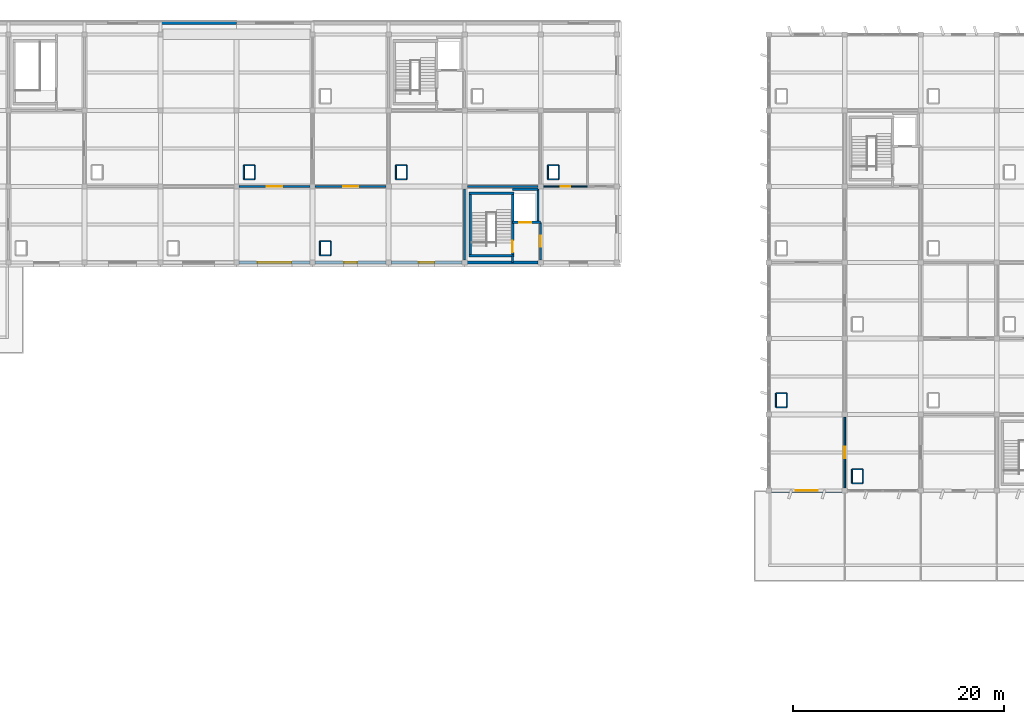
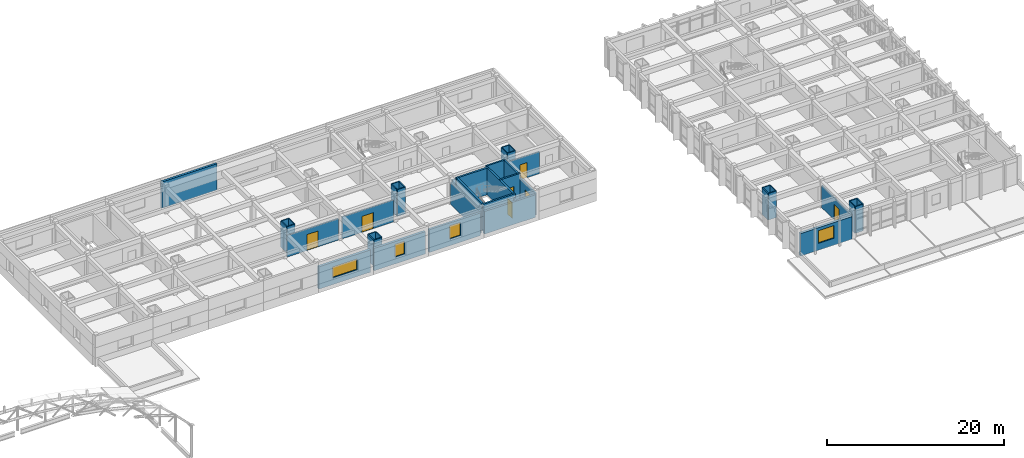
# One storey, part 33 of 40: 45 walls, 7 doors, 4 windows, 11 openings.
"""IFC4 building model written with IfcOpenShell, lengths in metres."""

from ifc_helpers import new_model, si_unit, direction, frame, frame_2d, origin, place, context, subcontext, project, spatial, rectangle, extrude, material, layer, layer_set, type_object, element, fill, save


model = new_model("IFC4")

# Units and contexts
model_context = context("Model", 3, precision=1e-05, world=origin(), true_north=direction((0.0, 1.0)))
body_context = subcontext(model_context, "Body", "Model", "MODEL_VIEW")
ifc_project = project(units=[si_unit("LENGTHUNIT", "METRE"), si_unit("AREAUNIT", "SQUARE_METRE"), si_unit("VOLUMEUNIT", "CUBIC_METRE"), si_unit("PLANEANGLEUNIT", "RADIAN"), si_unit("MASSUNIT", "GRAM", prefix="KILO")], contexts=[model_context])

# Site, building, storey
site_placement = place(None, origin())
site = spatial("IfcSite", under=ifc_project, at=site_placement, CompositionType="ELEMENT")
building_placement = place(site_placement, origin())
building = spatial("IfcBuilding", under=site, at=building_placement, Name="Kavelor Marine Aquarium", CompositionType="ELEMENT")
storey_placement = place(building_placement, frame((0.0, 0.0, 17.639892578125)))
storey = spatial("IfcBuildingStorey", under=building, at=storey_placement, Name="L04", CompositionType="ELEMENT", Elevation=17.639892578125)

# Wall, opening, window
ifc_material_1 = material(Name="Concrete C45/55", Category="concrete")
ifc_layer_1 = layer(ifc_material_1, 0.320068359375)
ifc_layer_set_1 = layer_set([ifc_layer_1], Name="WL-EX2")
wall_type_1 = type_object("IfcWallType", Name="WL-EX2", PredefinedType="STANDARD", material=ifc_layer_set_1)
wall_1_placement = place(storey_placement, frame((74.955078125, 89.199951171875, 0.0), z_axis=(0.0, 0.0, 1.0), x_axis=(-1.0, 0.0, 0.0)))
wall_1 = element("IfcWall", 1, at=wall_1_placement, inside=storey, type_object=wall_type_1, Name="ew:x:L04:09_12", PredefinedType="STANDARD", context=body_context, shape_type="SweptSolid", body=[
    extrude(rectangle(XDim=6.7099609375, YDim=0.320068359375, at=frame_2d((3.35498046875, 0.0))), origin(), (0.0, 0.0, 1.0), 3.080078125),
])
opening_1_placement = place(wall_1_placement, frame((1.7548828125, 0.0, 0.949951171875)))
opening_1 = element("IfcOpeningElement", 2, at=opening_1_placement, cuts=wall_1, Name="Opening W35", PredefinedType="OPENING", context=body_context, shape_type="SweptSolid", body=[
    extrude(rectangle(XDim=3.199951171875, YDim=1.5, at=frame_2d((1.60009765625, 0.75))), frame((0.0, 0.169921875, 0.0), z_axis=(0.0, -1.0, 0.0), x_axis=(1.0, 0.0, 0.0)), (0.0, 0.0, 1.0), 0.340068),
])
ifc_material_2 = material(Name="Anodised Aluminium Frame with Low-E Double Glazing", Category="aluminium")
window_type_1 = type_object("IfcWindowType", Name="WIN-W35", PartitioningType="DOUBLE_PANEL_VERTICAL", PredefinedType="WINDOW", material=ifc_material_2)
window_1_placement = place(opening_1_placement, origin())
window_1 = element("IfcWindow", 3, at=window_1_placement, inside=storey, type_object=window_type_1, Name="win:x:L04:09_12", OverallHeight=1.5, OverallWidth=3.199951171875, PartitioningType="SINGLE_PANEL", PredefinedType="WINDOW", context=body_context, shape_type="SweptSolid", body=[
    extrude(rectangle(XDim=3.199951171875, YDim=1.5, at=frame_2d((1.60009765625, 0.75))), frame((0.0, 0.030029296875, 0.0), z_axis=(0.0, -1.0, 0.0), x_axis=(1.0, 0.0, 0.0)), (0.0, 0.0, 1.0), 0.06005859375),
])
fill(opening_1, window_1)

ifc_material_3 = material(Name="Concrete C40/50", Category="concrete")
ifc_layer_2 = layer(ifc_material_3, 0.300048828125)
ifc_layer_set_2 = layer_set([ifc_layer_2], Name="WL-EX3")
wall_type_2 = type_object("IfcWallType", Name="WL-EX3", PredefinedType="STANDARD", material=ifc_layer_set_2)
wall_2_placement = place(storey_placement, frame((82.155029296875, 89.199951171875, 0.0), z_axis=(0.0, 0.0, 1.0), x_axis=(-1.0, 0.0, 0.0)))
wall_2 = element("IfcWall", 4, at=wall_2_placement, inside=storey, type_object=wall_type_2, Name="ew:x:L04:10_12", PredefinedType="STANDARD", context=body_context, shape_type="SweptSolid", body=[
    extrude(rectangle(XDim=6.7099609375, YDim=0.300048828125, at=frame_2d((3.35498046875, 0.0))), origin(), (0.0, 0.0, 1.0), 3.080078125),
])
opening_2_placement = place(wall_2_placement, frame((2.72998046875, 0.0, 0.949951171875)))
opening_2 = element("IfcOpeningElement", 5, at=opening_2_placement, cuts=wall_2, Name="Opening W37", PredefinedType="OPENING", context=body_context, shape_type="SweptSolid", body=[
    extrude(rectangle(XDim=1.25, YDim=1.75, at=frame_2d((0.625, 0.875))), frame((0.0, 0.159912109375, 0.0), z_axis=(0.0, -1.0, 0.0), x_axis=(1.0, 0.0, 0.0)), (0.0, 0.0, 1.0), 0.320049),
])
ifc_material_4 = material(Name="Anodised Aluminium Frame with Low-E Double Glazing", Category="aluminium")
window_type_2 = type_object("IfcWindowType", Name="WIN-W37", PartitioningType="SINGLE_PANEL", PredefinedType="WINDOW", material=ifc_material_4)
window_2_placement = place(opening_2_placement, origin())
window_2 = element("IfcWindow", 6, at=window_2_placement, inside=storey, type_object=window_type_2, Name="win:x:L04:10_12", OverallHeight=1.75, OverallWidth=1.25, PartitioningType="SINGLE_PANEL", PredefinedType="WINDOW", context=body_context, shape_type="SweptSolid", body=[
    extrude(rectangle(XDim=1.25, YDim=1.75, at=frame_2d((0.625, 0.875))), frame((0.0, 0.030029296875, 0.0), z_axis=(0.0, -1.0, 0.0), x_axis=(1.0, 0.0, 0.0)), (0.0, 0.0, 1.0), 0.06005859375),
])
fill(opening_2, window_2)

# Wall
ifc_material_5 = material(Name="Concrete C40/50", Category="concrete")
ifc_layer_3 = layer(ifc_material_5, 0.280029296875)
ifc_layer_set_3 = layer_set([ifc_layer_3], Name="WL-EX4")
wall_type_3 = type_object("IfcWallType", Name="WL-EX4", PredefinedType="STANDARD", material=ifc_layer_set_3)
wall_3_placement = place(storey_placement, frame((60.800048828125, 111.8798828125, 0.0), z_axis=(0.0, 0.0, 1.0), x_axis=(1.0, 0.0, 0.0)))
element("IfcWall", 7, at=wall_3_placement, inside=storey, type_object=wall_type_3, Name="ew:x:L04:08_15", PredefinedType="STANDARD", context=body_context, shape_type="SweptSolid", body=[
    extrude(rectangle(XDim=7.199951171875, YDim=0.280029296875, at=frame_2d((3.60009765625, 0.0))), origin(), (0.0, 0.0, 1.0), 3.630126953125),
])

# Wall, opening, window
wall_4_placement = place(storey_placement, frame((89.35498046875, 89.199951171875, 0.0), z_axis=(0.0, 0.0, 1.0), x_axis=(-1.0, 0.0, 0.0)))
wall_4 = element("IfcWall", 8, at=wall_4_placement, inside=storey, type_object=wall_type_3, Name="ew:x:L04:11_12", PredefinedType="STANDARD", context=body_context, shape_type="SweptSolid", body=[
    extrude(rectangle(XDim=6.7099609375, YDim=0.280029296875, at=frame_2d((3.35498046875, 0.0))), origin(), (0.0, 0.0, 1.0), 3.14013671875),
])
opening_3_placement = place(wall_4_placement, frame((2.6298828125, 0.0, 0.949951171875)))
opening_3 = element("IfcOpeningElement", 9, at=opening_3_placement, cuts=wall_4, Name="Opening W38", PredefinedType="OPENING", context=body_context, shape_type="SweptSolid", body=[
    extrude(rectangle(XDim=1.449951171875, YDim=1.800048828125, at=frame_2d((0.72509765625, 0.89990234375))), frame((0.0, 0.14990234375, 0.0), z_axis=(0.0, -1.0, 0.0), x_axis=(1.0, 0.0, 0.0)), (0.0, 0.0, 1.0), 0.300029),
])
ifc_material_6 = material(Name="Anodised Aluminium Frame with Low-E Double Glazing", Category="aluminium")
window_type_3 = type_object("IfcWindowType", Name="WIN-W38", PartitioningType="SINGLE_PANEL", PredefinedType="WINDOW", material=ifc_material_6)
window_3_placement = place(opening_3_placement, origin())
window_3 = element("IfcWindow", 10, at=window_3_placement, inside=storey, type_object=window_type_3, Name="win:x:L04:11_12", OverallHeight=1.800048828125, OverallWidth=1.449951171875, PartitioningType="SINGLE_PANEL", PredefinedType="WINDOW", context=body_context, shape_type="SweptSolid", body=[
    extrude(rectangle(XDim=1.449951171875, YDim=1.800048828125, at=frame_2d((0.72509765625, 0.89990234375))), frame((0.0, 0.030029296875, 0.0), z_axis=(0.0, -1.0, 0.0), x_axis=(1.0, 0.0, 0.0)), (0.0, 0.0, 1.0), 0.06005859375),
])
fill(opening_3, window_3)

# Wall
ifc_material_7 = material(Name="Concrete C40/50", Category="concrete")
ifc_layer_4 = layer(ifc_material_7, 0.260009765625)
ifc_layer_set_4 = layer_set([ifc_layer_4], Name="WL-EX5")
wall_type_4 = type_object("IfcWallType", Name="WL-EX5", PredefinedType="STANDARD", material=ifc_layer_set_4)
wall_5_placement = place(storey_placement, frame((96.554931640625, 89.199951171875, 0.0), z_axis=(0.0, 0.0, 1.0), x_axis=(-1.0, 0.0, 0.0)))
element("IfcWall", 11, at=wall_5_placement, inside=storey, type_object=wall_type_4, Name="ew:x:L04:12_12", PredefinedType="STANDARD", context=body_context, shape_type="SweptSolid", body=[
    extrude(rectangle(XDim=6.7099609375, YDim=0.260009765625, at=frame_2d((3.35498046875, 0.0))), origin(), (0.0, 0.0, 1.0), 3.1201171875),
])

# Wall, opening, window
ifc_material_8 = material(Name="Concrete C45/55", Category="concrete")
ifc_layer_5 = layer(ifc_material_8, 0.340087890625)
ifc_layer_set_5 = layer_set([ifc_layer_5], Name="WL-EX6")
wall_type_5 = type_object("IfcWallType", Name="WL-EX6", PredefinedType="STANDARD", material=ifc_layer_set_5)
wall_6_placement = place(storey_placement, frame((125.35498046875, 67.60009765625, 0.0), z_axis=(0.0, 0.0, 1.0), x_axis=(-1.0, 0.0, 0.0)))
wall_6 = element("IfcWall", 12, at=wall_6_placement, inside=storey, type_object=wall_type_5, Name="ew:x:L04:16_09", PredefinedType="STANDARD", context=body_context, shape_type="SweptSolid", body=[
    extrude(rectangle(XDim=6.7099609375, YDim=0.340087890625, at=frame_2d((3.35498046875, 0.0))), origin(), (0.0, 0.0, 1.0), 3.1201171875),
])
opening_4_placement = place(wall_6_placement, frame((2.330078125, 0.0, 0.949951171875)))
opening_4 = element("IfcOpeningElement", 13, at=opening_4_placement, cuts=wall_6, Name="Opening W41", PredefinedType="OPENING", context=body_context, shape_type="SweptSolid", body=[
    extrude(rectangle(XDim=2.050048828125, YDim=1.75, at=frame_2d((1.02490234375, 0.875))), frame((0.0, 0.179931640625, 0.0), z_axis=(0.0, -1.0, 0.0), x_axis=(1.0, 0.0, 0.0)), (0.0, 0.0, 1.0), 0.360088),
])
ifc_material_9 = material(Name="Anodised Aluminium Frame with Low-E Double Glazing", Category="aluminium")
window_type_4 = type_object("IfcWindowType", Name="WIN-W41", PartitioningType="DOUBLE_PANEL_VERTICAL", PredefinedType="WINDOW", material=ifc_material_9)
window_4_placement = place(opening_4_placement, origin())
window_4 = element("IfcWindow", 14, at=window_4_placement, inside=storey, type_object=window_type_4, Name="win:x:L04:16_09", OverallHeight=1.75, OverallWidth=2.050048828125, PartitioningType="SINGLE_PANEL", PredefinedType="WINDOW", context=body_context, shape_type="SweptSolid", body=[
    extrude(rectangle(XDim=2.050048828125, YDim=1.75, at=frame_2d((1.02490234375, 0.875))), frame((0.0, 0.030029296875, 0.0), z_axis=(0.0, -1.0, 0.0), x_axis=(1.0, 0.0, 0.0)), (0.0, 0.0, 1.0), 0.06005859375),
])
fill(opening_4, window_4)

# Walls
ifc_material_10 = material(Name="Concrete Blockwork Partition", Category="masonry")
ifc_layer_6 = layer(ifc_material_10, 0.199951171875)
ifc_layer_set_6 = layer_set([ifc_layer_6], Name="WL-PT1")
wall_type_6 = type_object("IfcWallType", Name="WL-PT1", PredefinedType="PARTITIONING", material=ifc_layer_set_6)
wall_7_placement = place(storey_placement, frame((94.139892578125, 89.199951171875, 0.0), z_axis=(0.0, 0.0, 1.0), x_axis=(0.0, 1.0, 0.0)))
element("IfcWall", 15, at=wall_7_placement, inside=storey, type_object=wall_type_6, Name="pt:st_close:s:C07:L04", PredefinedType="PARTITIONING", context=body_context, shape_type="SweptSolid", body=[
    extrude(rectangle(XDim=0.6201171875, YDim=0.199951171875, at=frame_2d((0.31005859375, 0.0))), origin(), (0.0, 0.0, 1.0), 3.1201171875),
])
wall_8_placement = place(storey_placement, frame((89.60009765625, 89.449951171875, 0.0), z_axis=(0.0, 0.0, 1.0), x_axis=(0.0, 1.0, 0.0)))
element("IfcWall", 16, at=wall_8_placement, inside=storey, type_object=wall_type_6, Name="pt:lob:C07:L04:w", PredefinedType="PARTITIONING", context=body_context, shape_type="SweptSolid", body=[
    extrude(rectangle(XDim=6.699951171875, YDim=0.199951171875, at=frame_2d((3.35009765625, 0.0))), origin(), (0.0, 0.0, 1.0), 3.02001953125),
])

# Wall, opening, door
wall_9_placement = place(storey_placement, frame((96.800048828125, 89.449951171875, 0.0), z_axis=(0.0, 0.0, 1.0), x_axis=(0.0, 1.0, 0.0)))
wall_9 = element("IfcWall", 17, at=wall_9_placement, inside=storey, type_object=wall_type_6, Name="pt:lob:C07:L04:e", PredefinedType="PARTITIONING", context=body_context, shape_type="SweptSolid", body=[
    extrude(rectangle(XDim=3.550048828125, YDim=0.199951171875, at=frame_2d((1.77490234375, 0.0))), origin(), (0.0, 0.0, 1.0), 3.02001953125),
])
opening_5_placement = place(wall_9_placement, frame((1.264892578125, 0.0, 0.0)))
opening_5 = element("IfcOpeningElement", 18, at=opening_5_placement, cuts=wall_9, Name="Opening SD1", PredefinedType="OPENING", context=body_context, shape_type="SweptSolid", body=[
    extrude(rectangle(XDim=1.02001953125, YDim=2.14990234375, at=frame_2d((0.510009765625, 1.074951171875))), frame((0.0, 0.10986328125, 0.0), z_axis=(0.0, -1.0, 0.0), x_axis=(1.0, 0.0, 0.0)), (0.0, 0.0, 1.0), 0.219951),
])
ifc_material_11 = material(Name="Fire-Rated Corridor Compartment Door")
door_type_1 = type_object("IfcDoorType", Name="DR-SD1", OperationType="NOTDEFINED", PredefinedType="DOOR", material=ifc_material_11)
door_1_placement = place(opening_5_placement, origin())
door_1 = element("IfcDoor", 19, at=door_1_placement, inside=storey, type_object=door_type_1, Name="Core Lobby Fire Door C07-L04", OperationType="SINGLE_SWING_RIGHT", OverallHeight=2.14990234375, OverallWidth=1.02001953125, PredefinedType="DOOR", context=body_context, shape_type="SweptSolid", body=[
    extrude(rectangle(XDim=1.02001953125, YDim=2.14990234375, at=frame_2d((0.510009765625, 1.074951171875))), frame((0.0, 0.02490234375, 0.0), z_axis=(0.0, -1.0, 0.0), x_axis=(1.0, 0.0, 0.0)), (0.0, 0.0, 1.0), 0.050048828125),
])
fill(opening_5, door_1)

# Wall
wall_10_placement = place(storey_placement, frame((89.85009765625, 96.39990234375, 0.0), z_axis=(0.0, 0.0, 1.0), x_axis=(1.0, 0.0, 0.0)))
element("IfcWall", 20, at=wall_10_placement, inside=storey, type_object=wall_type_6, Name="pt:lob:C07:L04:n_full", PredefinedType="PARTITIONING", context=body_context, shape_type="SweptSolid", body=[
    extrude(rectangle(XDim=6.699951171875, YDim=0.199951171875, at=frame_2d((3.35009765625, 0.0))), origin(), (0.0, 0.0, 1.0), 3.070068359375),
])

# Wall, opening, door
ifc_material_12 = material(Name="Acoustic Gypsum Stud Partition")
ifc_layer_7 = layer(ifc_material_12, 0.159912109375)
ifc_layer_set_7 = layer_set([ifc_layer_7], Name="WL-PT2")
wall_type_7 = type_object("IfcWallType", Name="WL-PT2", PredefinedType="PARTITIONING", material=ifc_layer_set_7)
wall_11_placement = place(storey_placement, frame((68.25, 96.39990234375, 0.0), z_axis=(0.0, 0.0, 1.0), x_axis=(1.0, 0.0, 0.0)))
wall_11 = element("IfcWall", 21, at=wall_11_placement, inside=storey, type_object=wall_type_7, Name="pt:x:L04:09_12", PredefinedType="PARTITIONING", context=body_context, shape_type="SweptSolid", body=[
    extrude(rectangle(XDim=6.699951171875, YDim=0.159912109375, at=frame_2d((3.35009765625, 0.0))), origin(), (0.0, 0.0, 1.0), 2.980224609375),
])
opening_6_placement = place(wall_11_placement, frame((2.6298828125, 0.0, 0.0)))
opening_6 = element("IfcOpeningElement", 22, at=opening_6_placement, cuts=wall_11, Name="Opening D11", PredefinedType="OPENING", context=body_context, shape_type="SweptSolid", body=[
    extrude(rectangle(XDim=1.43994140625, YDim=2.199951171875, at=frame_2d((0.719970703125, 1.10009765625))), frame((0.0, 0.08984375, 0.0), z_axis=(0.0, -1.0, 0.0), x_axis=(1.0, 0.0, 0.0)), (0.0, 0.0, 1.0), 0.179912),
])
ifc_material_13 = material(Name="Seminar Studio Double Door")
door_type_2 = type_object("IfcDoorType", Name="DR-D11", OperationType="NOTDEFINED", PredefinedType="DOOR", material=ifc_material_13)
door_2_placement = place(opening_6_placement, origin())
door_2 = element("IfcDoor", 23, at=door_2_placement, inside=storey, type_object=door_type_2, Name="dr:rm:pt:x:L04:09_12:1", OperationType="DOUBLE_DOOR_SINGLE_SWING", OverallHeight=2.199951171875, OverallWidth=1.43994140625, PredefinedType="DOOR", context=body_context, shape_type="SweptSolid", body=[
    extrude(rectangle(XDim=1.43994140625, YDim=2.199951171875, at=frame_2d((0.719970703125, 1.10009765625))), frame((0.0, 0.02490234375, 0.0), z_axis=(0.0, -1.0, 0.0), x_axis=(1.0, 0.0, 0.0)), (0.0, 0.0, 1.0), 0.050048828125),
])
fill(opening_6, door_2)

wall_12_placement = place(storey_placement, frame((75.449951171875, 96.39990234375, 0.0), z_axis=(0.0, 0.0, 1.0), x_axis=(1.0, 0.0, 0.0)))
wall_12 = element("IfcWall", 24, at=wall_12_placement, inside=storey, type_object=wall_type_7, Name="pt:x:L04:10_12", PredefinedType="PARTITIONING", context=body_context, shape_type="SweptSolid", body=[
    extrude(rectangle(XDim=6.699951171875, YDim=0.159912109375, at=frame_2d((3.35009765625, 0.0))), origin(), (0.0, 0.0, 1.0), 3.030029296875),
])
opening_7_placement = place(wall_12_placement, frame((2.6298828125, 0.0, 0.0)))
opening_7 = element("IfcOpeningElement", 25, at=opening_7_placement, cuts=wall_12, Name="Opening D11", PredefinedType="OPENING", context=body_context, shape_type="SweptSolid", body=[
    extrude(rectangle(XDim=1.43994140625, YDim=2.199951171875, at=frame_2d((0.719970703125, 1.10009765625))), frame((0.0, 0.08984375, 0.0), z_axis=(0.0, -1.0, 0.0), x_axis=(1.0, 0.0, 0.0)), (0.0, 0.0, 1.0), 0.179912),
])
door_3_placement = place(opening_7_placement, origin())
door_3 = element("IfcDoor", 26, at=door_3_placement, inside=storey, type_object=door_type_2, Name="dr:rm:pt:x:L04:10_12:0", OperationType="DOUBLE_DOOR_SINGLE_SWING", OverallHeight=2.199951171875, OverallWidth=1.43994140625, PredefinedType="DOOR", context=body_context, shape_type="SweptSolid", body=[
    extrude(rectangle(XDim=1.43994140625, YDim=2.199951171875, at=frame_2d((0.719970703125, 1.10009765625))), frame((0.0, 0.02490234375, 0.0), z_axis=(0.0, -1.0, 0.0), x_axis=(1.0, 0.0, 0.0)), (0.0, 0.0, 1.0), 0.050048828125),
])
fill(opening_7, door_3)

wall_13_placement = place(storey_placement, frame((125.60009765625, 67.85009765625, 0.0), z_axis=(0.0, 0.0, 1.0), x_axis=(0.0, 1.0, 0.0)))
wall_13 = element("IfcWall", 27, at=wall_13_placement, inside=storey, type_object=wall_type_7, Name="pt:y:L04:16_09", PredefinedType="PARTITIONING", context=body_context, shape_type="SweptSolid", body=[
    extrude(rectangle(XDim=6.699951171875, YDim=0.159912109375, at=frame_2d((3.35009765625, 0.0))), origin(), (0.0, 0.0, 1.0), 3.070068359375),
])
opening_8_placement = place(wall_13_placement, frame((2.81005859375, 0.0, 0.0)))
opening_8 = element("IfcOpeningElement", 28, at=opening_8_placement, cuts=wall_13, Name="Opening D08", PredefinedType="OPENING", context=body_context, shape_type="SweptSolid", body=[
    extrude(rectangle(XDim=1.080078125, YDim=2.159912109375, at=frame_2d((0.5400390625, 1.080078125))), frame((0.0, 0.08984375, 0.0), z_axis=(0.0, -1.0, 0.0), x_axis=(1.0, 0.0, 0.0)), (0.0, 0.0, 1.0), 0.179912),
])
ifc_material_14 = material(Name="Discovery Wet Lab Vision Door")
door_type_3 = type_object("IfcDoorType", Name="DR-D08", OperationType="NOTDEFINED", PredefinedType="DOOR", material=ifc_material_14)
door_4_placement = place(opening_8_placement, origin())
door_4 = element("IfcDoor", 29, at=door_4_placement, inside=storey, type_object=door_type_3, Name="dr:rm:pt:y:L04:16_09:0", OperationType="SINGLE_SWING_LEFT", OverallHeight=2.159912109375, OverallWidth=1.080078125, PredefinedType="DOOR", context=body_context, shape_type="SweptSolid", body=[
    extrude(rectangle(XDim=1.080078125, YDim=2.159912109375, at=frame_2d((0.5400390625, 1.080078125))), frame((0.0, 0.02490234375, 0.0), z_axis=(0.0, -1.0, 0.0), x_axis=(1.0, 0.0, 0.0)), (0.0, 0.0, 1.0), 0.050048828125),
])
fill(opening_8, door_4)

ifc_material_15 = material(Name="Moisture-Resistant Marine Partition")
ifc_layer_8 = layer(ifc_material_15, 0.139892578125)
ifc_layer_set_8 = layer_set([ifc_layer_8], Name="WL-PT3")
wall_type_8 = type_object("IfcWallType", Name="WL-PT3", PredefinedType="PARTITIONING", material=ifc_layer_set_8)
wall_14_placement = place(storey_placement, frame((97.050048828125, 96.39990234375, 0.0), z_axis=(0.0, 0.0, 1.0), x_axis=(1.0, 0.0, 0.0)))
wall_14 = element("IfcWall", 30, at=wall_14_placement, inside=storey, type_object=wall_type_8, Name="pt:san:f1:L04:13_13", PredefinedType="PARTITIONING", context=body_context, shape_type="SweptSolid", body=[
    extrude(rectangle(XDim=4.199951171875, YDim=0.139892578125, at=frame_2d((2.10009765625, 0.0))), origin(), (0.0, 0.0, 1.0), 3.0400390625),
])
opening_9_placement = place(wall_14_placement, frame((1.639892578125, 0.0, 0.0)))
opening_9 = element("IfcOpeningElement", 31, at=opening_9_placement, cuts=wall_14, Name="Opening D02", PredefinedType="OPENING", context=body_context, shape_type="SweptSolid", body=[
    extrude(rectangle(XDim=0.919921875, YDim=2.080078125, at=frame_2d((0.4599609375, 1.0400390625))), frame((0.0, 0.079833984375, 0.0), z_axis=(0.0, -1.0, 0.0), x_axis=(1.0, 0.0, 0.0)), (0.0, 0.0, 1.0), 0.159893),
])
ifc_material_16 = material(Name="Moisture-Resistant Laminate Sanitary Door")
door_type_4 = type_object("IfcDoorType", Name="DR-D02", OperationType="NOTDEFINED", PredefinedType="DOOR", material=ifc_material_16)
door_5_placement = place(opening_9_placement, origin())
door_5 = element("IfcDoor", 32, at=door_5_placement, inside=storey, type_object=door_type_4, Name="dr:wc:L04:13_13", OperationType="SINGLE_SWING_RIGHT", OverallHeight=2.080078125, OverallWidth=0.919921875, PredefinedType="DOOR", context=body_context, shape_type="SweptSolid", body=[
    extrude(rectangle(XDim=0.919921875, YDim=2.080078125, at=frame_2d((0.4599609375, 1.0400390625))), frame((0.0, 0.02490234375, 0.0), z_axis=(0.0, -1.0, 0.0), x_axis=(1.0, 0.0, 0.0)), (0.0, 0.0, 1.0), 0.050048828125),
])
fill(opening_9, door_5)

# Walls
ifc_material_17 = material(Name="Lightweight Drywall Partition")
ifc_layer_9 = layer(ifc_material_17, 0.1201171875)
ifc_layer_set_9 = layer_set([ifc_layer_9], Name="WL-PT4")
wall_type_9 = type_object("IfcWallType", Name="WL-PT4", PredefinedType="PARTITIONING", material=ifc_layer_set_9)
for number, where, z_axis, x_axis, name in (
    (33, (68.68994140625, 97.090087890625, 0.0), (0.0, 0.0, 1.0), (1.0, 0.0, 0.0), "riser:s:L04:09_13"),
    (34, (68.68994140625, 98.409912109375, 0.0), (0.0, 0.0, 1.0), (1.0, 0.0, 0.0), "riser:n:L04:09_13"),
):
    element("IfcWall", number, at=place(storey_placement, frame(where, z_axis=z_axis, x_axis=x_axis)), inside=storey, type_object=wall_type_9, Name=name, PredefinedType="PARTITIONING", context=body_context, shape_type="SweptSolid", body=[
        extrude(rectangle(XDim=1.02001953125, YDim=0.1201171875, at=frame_2d((0.510009765625, 0.0))), origin(), (0.0, 0.0, 1.0), 3.6201171875),
    ])
for number, where, z_axis, x_axis, name in (
    (35, (68.68994140625, 97.090087890625, 0.0), (0.0, 0.0, 1.0), (0.0, 1.0, 0.0), "riser:w:L04:09_13"),
    (36, (69.7099609375, 97.090087890625, 0.0), (0.0, 0.0, 1.0), (0.0, 1.0, 0.0), "riser:e:L04:09_13"),
):
    element("IfcWall", number, at=place(storey_placement, frame(where, z_axis=z_axis, x_axis=x_axis)), inside=storey, type_object=wall_type_9, Name=name, PredefinedType="PARTITIONING", context=body_context, shape_type="SweptSolid", body=[
        extrude(rectangle(XDim=1.31982421875, YDim=0.1201171875, at=frame_2d((0.659912109375, 0.0))), origin(), (0.0, 0.0, 1.0), 3.6201171875),
    ])
for number, where, z_axis, x_axis, name in (
    (37, (75.889892578125, 89.889892578125, 0.0), (0.0, 0.0, 1.0), (1.0, 0.0, 0.0), "riser:s:L04:10_12"),
    (38, (75.889892578125, 91.2099609375, 0.0), (0.0, 0.0, 1.0), (1.0, 0.0, 0.0), "riser:n:L04:10_12"),
):
    element("IfcWall", number, at=place(storey_placement, frame(where, z_axis=z_axis, x_axis=x_axis)), inside=storey, type_object=wall_type_9, Name=name, PredefinedType="PARTITIONING", context=body_context, shape_type="SweptSolid", body=[
        extrude(rectangle(XDim=1.02001953125, YDim=0.1201171875, at=frame_2d((0.510009765625, 0.0))), origin(), (0.0, 0.0, 1.0), 3.6201171875),
    ])
for number, where, z_axis, x_axis, name in (
    (39, (75.889892578125, 89.889892578125, 0.0), (0.0, 0.0, 1.0), (0.0, 1.0, 0.0), "riser:w:L04:10_12"),
    (40, (76.909912109375, 89.889892578125, 0.0), (0.0, 0.0, 1.0), (0.0, 1.0, 0.0), "riser:e:L04:10_12"),
):
    element("IfcWall", number, at=place(storey_placement, frame(where, z_axis=z_axis, x_axis=x_axis)), inside=storey, type_object=wall_type_9, Name=name, PredefinedType="PARTITIONING", context=body_context, shape_type="SweptSolid", body=[
        extrude(rectangle(XDim=1.320068359375, YDim=0.1201171875, at=frame_2d((0.66015625, 0.0))), origin(), (0.0, 0.0, 1.0), 3.6201171875),
    ])
for number, where, z_axis, x_axis, name in (
    (41, (83.090087890625, 97.090087890625, 0.0), (0.0, 0.0, 1.0), (1.0, 0.0, 0.0), "riser:s:L04:11_13"),
    (42, (83.090087890625, 98.409912109375, 0.0), (0.0, 0.0, 1.0), (1.0, 0.0, 0.0), "riser:n:L04:11_13"),
):
    element("IfcWall", number, at=place(storey_placement, frame(where, z_axis=z_axis, x_axis=x_axis)), inside=storey, type_object=wall_type_9, Name=name, PredefinedType="PARTITIONING", context=body_context, shape_type="SweptSolid", body=[
        extrude(rectangle(XDim=1.02001953125, YDim=0.1201171875, at=frame_2d((0.510009765625, 0.0))), origin(), (0.0, 0.0, 1.0), 3.68017578125),
    ])
for number, where, z_axis, x_axis, name in (
    (43, (83.090087890625, 97.090087890625, 0.0), (0.0, 0.0, 1.0), (0.0, 1.0, 0.0), "riser:w:L04:11_13"),
    (44, (84.110107421875, 97.090087890625, 0.0), (0.0, 0.0, 1.0), (0.0, 1.0, 0.0), "riser:e:L04:11_13"),
):
    element("IfcWall", number, at=place(storey_placement, frame(where, z_axis=z_axis, x_axis=x_axis)), inside=storey, type_object=wall_type_9, Name=name, PredefinedType="PARTITIONING", context=body_context, shape_type="SweptSolid", body=[
        extrude(rectangle(XDim=1.31982421875, YDim=0.1201171875, at=frame_2d((0.659912109375, 0.0))), origin(), (0.0, 0.0, 1.0), 3.68017578125),
    ])
for number, where, z_axis, x_axis, name in (
    (45, (97.489990234375, 97.090087890625, 0.0), (0.0, 0.0, 1.0), (1.0, 0.0, 0.0), "riser:s:L04:13_13"),
    (46, (97.489990234375, 98.409912109375, 0.0), (0.0, 0.0, 1.0), (1.0, 0.0, 0.0), "riser:n:L04:13_13"),
):
    element("IfcWall", number, at=place(storey_placement, frame(where, z_axis=z_axis, x_axis=x_axis)), inside=storey, type_object=wall_type_9, Name=name, PredefinedType="PARTITIONING", context=body_context, shape_type="SweptSolid", body=[
        extrude(rectangle(XDim=1.02001953125, YDim=0.1201171875, at=frame_2d((0.510009765625, 0.0))), origin(), (0.0, 0.0, 1.0), 3.68017578125),
    ])
for number, where, z_axis, x_axis, name in (
    (47, (97.489990234375, 97.090087890625, 0.0), (0.0, 0.0, 1.0), (0.0, 1.0, 0.0), "riser:w:L04:13_13"),
    (48, (98.510009765625, 97.090087890625, 0.0), (0.0, 0.0, 1.0), (0.0, 1.0, 0.0), "riser:e:L04:13_13"),
):
    element("IfcWall", number, at=place(storey_placement, frame(where, z_axis=z_axis, x_axis=x_axis)), inside=storey, type_object=wall_type_9, Name=name, PredefinedType="PARTITIONING", context=body_context, shape_type="SweptSolid", body=[
        extrude(rectangle(XDim=1.31982421875, YDim=0.1201171875, at=frame_2d((0.659912109375, 0.0))), origin(), (0.0, 0.0, 1.0), 3.68017578125),
    ])
for number, where, z_axis, x_axis, name in (
    (49, (119.090087890625, 75.489990234375, 0.0), (0.0, 0.0, 1.0), (1.0, 0.0, 0.0), "riser:s:L04:16_10"),
    (50, (119.090087890625, 76.81005859375, 0.0), (0.0, 0.0, 1.0), (1.0, 0.0, 0.0), "riser:n:L04:16_10"),
):
    element("IfcWall", number, at=place(storey_placement, frame(where, z_axis=z_axis, x_axis=x_axis)), inside=storey, type_object=wall_type_9, Name=name, PredefinedType="PARTITIONING", context=body_context, shape_type="SweptSolid", body=[
        extrude(rectangle(XDim=1.02001953125, YDim=0.1201171875, at=frame_2d((0.510009765625, 0.0))), origin(), (0.0, 0.0, 1.0), 3.66015625),
    ])
for number, where, z_axis, x_axis, name in (
    (51, (119.090087890625, 75.489990234375, 0.0), (0.0, 0.0, 1.0), (0.0, 1.0, 0.0), "riser:w:L04:16_10"),
    (52, (120.110107421875, 75.489990234375, 0.0), (0.0, 0.0, 1.0), (0.0, 1.0, 0.0), "riser:e:L04:16_10"),
):
    element("IfcWall", number, at=place(storey_placement, frame(where, z_axis=z_axis, x_axis=x_axis)), inside=storey, type_object=wall_type_9, Name=name, PredefinedType="PARTITIONING", context=body_context, shape_type="SweptSolid", body=[
        extrude(rectangle(XDim=1.320068359375, YDim=0.1201171875, at=frame_2d((0.66015625, 0.0))), origin(), (0.0, 0.0, 1.0), 3.66015625),
    ])
for number, where, z_axis, x_axis, name in (
    (53, (126.2900390625, 68.2900390625, 0.0), (0.0, 0.0, 1.0), (1.0, 0.0, 0.0), "riser:s:L04:17_09"),
    (54, (126.2900390625, 69.610107421875, 0.0), (0.0, 0.0, 1.0), (1.0, 0.0, 0.0), "riser:n:L04:17_09"),
):
    element("IfcWall", number, at=place(storey_placement, frame(where, z_axis=z_axis, x_axis=x_axis)), inside=storey, type_object=wall_type_9, Name=name, PredefinedType="PARTITIONING", context=body_context, shape_type="SweptSolid", body=[
        extrude(rectangle(XDim=1.02001953125, YDim=0.1201171875, at=frame_2d((0.510009765625, 0.0))), origin(), (0.0, 0.0, 1.0), 3.68017578125),
    ])
for number, where, z_axis, x_axis, name in (
    (55, (126.2900390625, 68.2900390625, 0.0), (0.0, 0.0, 1.0), (0.0, 1.0, 0.0), "riser:w:L04:17_09"),
    (56, (127.31005859375, 68.2900390625, 0.0), (0.0, 0.0, 1.0), (0.0, 1.0, 0.0), "riser:e:L04:17_09"),
):
    element("IfcWall", number, at=place(storey_placement, frame(where, z_axis=z_axis, x_axis=x_axis)), inside=storey, type_object=wall_type_9, Name=name, PredefinedType="PARTITIONING", context=body_context, shape_type="SweptSolid", body=[
        extrude(rectangle(XDim=1.320068359375, YDim=0.1201171875, at=frame_2d((0.66015625, 0.0))), origin(), (0.0, 0.0, 1.0), 3.68017578125),
    ])
ifc_material_18 = material(Name="Concrete C40/50", Category="concrete")
ifc_layer_10 = layer(ifc_material_18, 0.35009765625)
ifc_layer_set_10 = layer_set([ifc_layer_10], Name="WL-SW2")
wall_type_10 = type_object("IfcWallType", Name="WL-SW2", PredefinedType="SHEAR", material=ifc_layer_set_10)
for number, where, z_axis, x_axis, name in (
    (57, (90.02001953125, 89.820068359375, 0.0), (0.0, 0.0, 1.0), (1.0, 0.0, 0.0), "cw_st:s:C07:L04"),
    (58, (90.02001953125, 95.780029296875, 0.0), (0.0, 0.0, 1.0), (1.0, 0.0, 0.0), "cw_st:n:C07:L04"),
):
    element("IfcWall", number, at=place(storey_placement, frame(where, z_axis=z_axis, x_axis=x_axis)), inside=storey, type_object=wall_type_10, Name=name, PredefinedType="SHEAR", context=body_context, shape_type="SweptSolid", body=[
        extrude(rectangle(XDim=4.239990234375, YDim=0.239990234375, at=frame_2d((2.1201171875, 0.0))), origin(), (0.0, 0.0, 1.0), 3.68017578125),
    ])
wall_15_placement = place(storey_placement, frame((90.139892578125, 89.93994140625, 0.0), z_axis=(0.0, 0.0, 1.0), x_axis=(0.0, 1.0, 0.0)))
element("IfcWall", 59, at=wall_15_placement, inside=storey, type_object=wall_type_10, Name="cw_st:w:C07:L04", PredefinedType="SHEAR", context=body_context, shape_type="SweptSolid", body=[
    extrude(rectangle(XDim=5.719970703125, YDim=0.239990234375, at=frame_2d((2.85986328125, 0.0))), origin(), (0.0, 0.0, 1.0), 3.68017578125),
])

# Wall, opening, door
wall_16_placement = place(storey_placement, frame((94.139892578125, 89.93994140625, 0.0), z_axis=(0.0, 0.0, 1.0), x_axis=(0.0, 1.0, 0.0)))
wall_16 = element("IfcWall", 60, at=wall_16_placement, inside=storey, type_object=wall_type_10, Name="cw_st:e:C07:L04", PredefinedType="SHEAR", context=body_context, shape_type="SweptSolid", body=[
    extrude(rectangle(XDim=5.719970703125, YDim=0.239990234375, at=frame_2d((2.85986328125, 0.0))), origin(), (0.0, 0.0, 1.0), 3.68017578125),
])
opening_10_placement = place(wall_16_placement, frame((0.219970703125, 0.0, 0.0)))
opening_10 = element("IfcOpeningElement", 61, at=opening_10_placement, cuts=wall_16, Name="Opening FD1", PredefinedType="OPENING", context=body_context, shape_type="SweptSolid", body=[
    extrude(rectangle(XDim=1.1201171875, YDim=2.14990234375, at=frame_2d((0.56005859375, 1.074951171875))), frame((0.0, 0.1298828125, 0.0), z_axis=(0.0, -1.0, 0.0), x_axis=(1.0, 0.0, 0.0)), (0.0, 0.0, 1.0), 0.25999),
])
ifc_material_19 = material(Name="Fire-Rated Steel Stair and Core Door", Category="steel")
door_type_5 = type_object("IfcDoorType", Name="DR-FD1", OperationType="NOTDEFINED", PredefinedType="DOOR", material=ifc_material_19)
door_6_placement = place(opening_10_placement, origin())
door_6 = element("IfcDoor", 62, at=door_6_placement, inside=storey, type_object=door_type_5, Name="Stair Fire Door ST07-L04", OperationType="SINGLE_SWING_LEFT", OverallHeight=2.14990234375, OverallWidth=1.1201171875, PredefinedType="DOOR", context=body_context, shape_type="SweptSolid", body=[
    extrude(rectangle(XDim=1.1201171875, YDim=2.14990234375, at=frame_2d((0.56005859375, 1.074951171875))), frame((0.0, 0.02490234375, 0.0), z_axis=(0.0, -1.0, 0.0), x_axis=(1.0, 0.0, 0.0)), (0.0, 0.0, 1.0), 0.050048828125),
])
fill(opening_10, door_6)

wall_17_placement = place(storey_placement, frame((94.139892578125, 93.0, 0.0), z_axis=(0.0, 0.0, 1.0), x_axis=(1.0, 0.0, 0.0)))
wall_17 = element("IfcWall", 63, at=wall_17_placement, inside=storey, type_object=wall_type_10, Name="cw_lf:s:C07:L04", PredefinedType="SHEAR", context=body_context, shape_type="SweptSolid", body=[
    extrude(rectangle(XDim=2.66015625, YDim=0.219970703125, at=frame_2d((1.330078125, 0.0))), origin(), (0.0, 0.0, 1.0), 3.68017578125),
])
opening_11_placement = place(wall_17_placement, frame((0.635009765625, 0.0, 0.0)))
opening_11 = element("IfcOpeningElement", 64, at=opening_11_placement, cuts=wall_17, Name="Opening LD1", PredefinedType="OPENING", context=body_context, shape_type="SweptSolid", body=[
    extrude(rectangle(XDim=1.139892578125, YDim=2.14990234375, at=frame_2d((0.56982421875, 1.074951171875))), frame((0.0, 0.119873046875, 0.0), z_axis=(0.0, -1.0, 0.0), x_axis=(1.0, 0.0, 0.0)), (0.0, 0.0, 1.0), 0.239971),
])
ifc_material_20 = material(Name="Stainless Steel Lift Landing Sliding Door", Category="steel")
door_type_6 = type_object("IfcDoorType", Name="DR-LD1", OperationType="NOTDEFINED", PredefinedType="DOOR", material=ifc_material_20)
door_7_placement = place(opening_11_placement, origin())
door_7 = element("IfcDoor", 65, at=door_7_placement, inside=storey, type_object=door_type_6, Name="Lift Landing Sliding Door EL2-L04", OperationType="SLIDING_TO_LEFT", OverallHeight=2.14990234375, OverallWidth=1.139892578125, PredefinedType="DOOR", context=body_context, shape_type="SweptSolid", body=[
    extrude(rectangle(XDim=1.139892578125, YDim=2.14990234375, at=frame_2d((0.56982421875, 1.074951171875))), frame((0.0, 0.02490234375, 0.0), z_axis=(0.0, -1.0, 0.0), x_axis=(1.0, 0.0, 0.0)), (0.0, 0.0, 1.0), 0.050048828125),
])
fill(opening_11, door_7)

# Walls
wall_18_placement = place(storey_placement, frame((94.139892578125, 96.14990234375, 0.0), z_axis=(0.0, 0.0, 1.0), x_axis=(1.0, 0.0, 0.0)))
element("IfcWall", 66, at=wall_18_placement, inside=storey, type_object=wall_type_10, Name="cw_lf:n:C07:L04", PredefinedType="SHEAR", context=body_context, shape_type="SweptSolid", body=[
    extrude(rectangle(XDim=2.41015625, YDim=0.219970703125, at=frame_2d((1.205078125, 0.0))), origin(), (0.0, 0.0, 1.0), 3.68017578125),
])
wall_19_placement = place(storey_placement, frame((96.550048828125, 93.0, 0.0), z_axis=(0.0, 0.0, 1.0), x_axis=(0.0, 1.0, 0.0)))
element("IfcWall", 67, at=wall_19_placement, inside=storey, type_object=wall_type_10, Name="cw_lf:e:C07:L04", PredefinedType="SHEAR", context=body_context, shape_type="SweptSolid", body=[
    extrude(rectangle(XDim=3.14990234375, YDim=0.219970703125, at=frame_2d((1.574951171875, 0.0))), origin(), (0.0, 0.0, 1.0), 3.68017578125),
])

save(model, "model.ifc")
